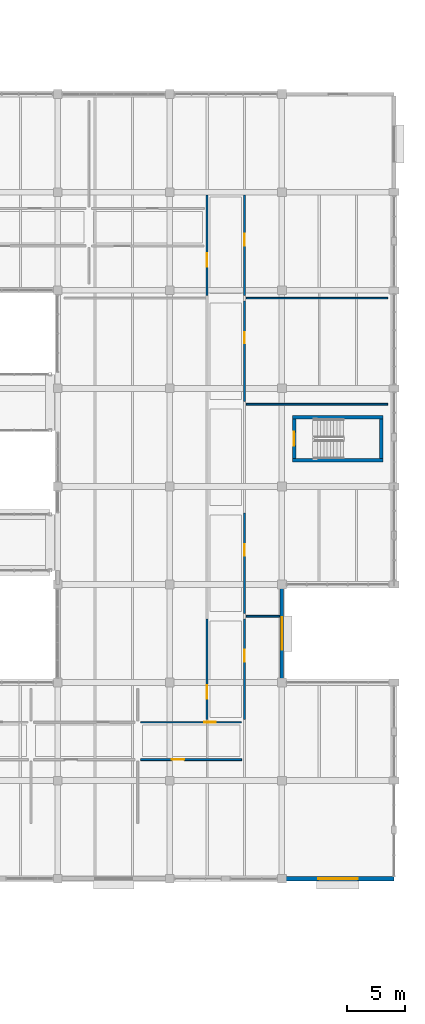
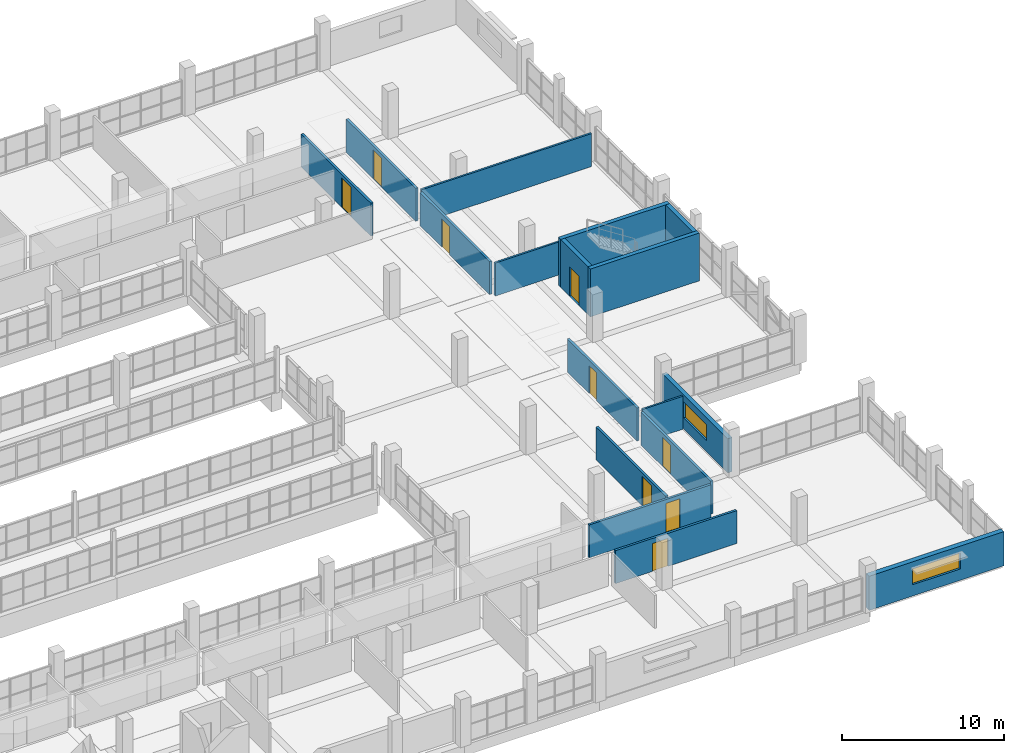
# One storey, part 128 of 147: 17 walls, 9 doors, 2 windows, 11 openings.
"""IFC4 building model written with IfcOpenShell, lengths in metres."""

from ifc_helpers import new_model, si_unit, direction, frame, frame_2d, origin, place, context, subcontext, project, spatial, rectangle, extrude, material, layer, layer_set, type_object, element, fill, save


model = new_model("IFC4")

# Units and contexts
model_context = context("Model", 3, precision=1e-05, world=origin(), true_north=direction((0.0, 1.0)))
body_context = subcontext(model_context, "Body", "Model", "MODEL_VIEW")
ifc_project = project(units=[si_unit("LENGTHUNIT", "METRE"), si_unit("AREAUNIT", "SQUARE_METRE"), si_unit("VOLUMEUNIT", "CUBIC_METRE"), si_unit("PLANEANGLEUNIT", "RADIAN"), si_unit("MASSUNIT", "GRAM", prefix="KILO")], contexts=[model_context])

# Site, building, storey
site_placement = place(None, origin())
site = spatial("IfcSite", under=ifc_project, at=site_placement, CompositionType="ELEMENT")
building_placement = place(site_placement, origin())
building = spatial("IfcBuilding", under=site, at=building_placement, Name="Oolite Switchyard Hospital", CompositionType="ELEMENT")
storey_placement = place(building_placement, frame((0.0, 0.0, 9.89990234375)))
storey = spatial("IfcBuildingStorey", under=building, at=storey_placement, Name="L02", CompositionType="ELEMENT", Elevation=9.89990234375)

# Wall, opening, window
ifc_material_1 = material(Name="Precast oolitic limestone architectural concrete C40/50", Category="masonry")
ifc_layer_1 = layer(ifc_material_1, 0.300048828125)
ifc_layer_set_1 = layer_set([ifc_layer_1], Name="WAL-EXT-300")
wall_type_1 = type_object("IfcWallType", Name="WAL-EXT-300", PredefinedType="SOLIDWALL", material=ifc_layer_set_1)
wall_1_placement = place(storey_placement, frame((201.60009765625, 33.43994140625, 0.0), z_axis=(0.0, 0.0, 1.0), x_axis=(0.0, -1.0, 0.0)))
wall_1 = element("IfcWall", 1, at=wall_1_placement, inside=storey, type_object=wall_type_1, Name="L02 Exterior Spandrel Wall 168", PredefinedType="SOLIDWALL", context=body_context, shape_type="SweptSolid", body=[
    extrude(rectangle(XDim=8.079833984375, YDim=0.300048828125, at=frame_2d((4.0400390625, 0.0))), origin(), (0.0, 0.0, 1.0), 2.570068359375),
])
opening_1_placement = place(wall_1_placement, frame((2.639892578125, 0.0, 0.85009765625)))
opening_1 = element("IfcOpeningElement", 2, at=opening_1_placement, cuts=wall_1, Name="Opening WN-0063", PredefinedType="OPENING", context=body_context, shape_type="SweptSolid", body=[
    extrude(rectangle(XDim=2.800048828125, YDim=1.199951171875, at=frame_2d((1.39990234375, 0.60009765625))), frame((0.0, 0.16015625, 0.0), z_axis=(0.0, -1.0, 0.0), x_axis=(1.0, 0.0, 0.0)), (0.0, 0.0, 1.0), 0.320068359375),
])
ifc_material_2 = material(Name="Thermally broken aluminum frame with laminated impact glazing", Category="aluminium")
window_type_1 = type_object("IfcWindowType", Name="WIN-IMP-280X120", PartitioningType="SINGLE_PANEL", PredefinedType="WINDOW", material=ifc_material_2)
window_1_placement = place(opening_1_placement, origin())
window_1 = element("IfcWindow", 3, at=window_1_placement, inside=storey, type_object=window_type_1, Name="L02 Hurricane Impact Window WN-0063", OverallHeight=1.199951171875, OverallWidth=2.800048828125, PartitioningType="SINGLE_PANEL", PredefinedType="WINDOW", context=body_context, shape_type="SweptSolid", body=[
    extrude(rectangle(XDim=2.800048828125, YDim=1.199951171875, at=frame_2d((1.39990234375, 0.60009765625))), frame((0.0, 0.030029296875, 0.0), z_axis=(0.0, -1.0, 0.0), x_axis=(1.0, 0.0, 0.0)), (0.0, 0.0, 1.0), 0.06005859375),
])
fill(opening_1, window_1)

ifc_layer_2 = layer(ifc_material_1, 0.360107421875)
ifc_layer_set_2 = layer_set([ifc_layer_2], Name="WAL-EXT-360")
wall_type_2 = type_object("IfcWallType", Name="WAL-EXT-360", PredefinedType="SOLIDWALL", material=ifc_layer_set_2)
wall_2_placement = place(storey_placement, frame((211.199951171875, 8.39990234375, 0.0), z_axis=(0.0, 0.0, 1.0), x_axis=(-1.0, 0.0, 0.0)))
wall_2 = element("IfcWall", 4, at=wall_2_placement, inside=storey, type_object=wall_type_2, Name="L02 Exterior Spandrel Wall 129", PredefinedType="SOLIDWALL", context=body_context, shape_type="SweptSolid", body=[
    extrude(rectangle(XDim=9.599853515625, YDim=0.360107421875, at=frame_2d((4.7998046875, 0.0))), origin(), (0.0, 0.0, 1.0), 2.570068359375),
])
opening_2_placement = place(wall_2_placement, frame((3.10009765625, 0.0, 0.85009765625)))
opening_2 = element("IfcOpeningElement", 5, at=opening_2_placement, cuts=wall_2, Name="Opening WN-0046", PredefinedType="OPENING", context=body_context, shape_type="SweptSolid", body=[
    extrude(rectangle(XDim=3.39990234375, YDim=1.199951171875, at=frame_2d((1.699951171875, 0.60009765625))), frame((0.0, 0.18994140625, 0.0), z_axis=(0.0, -1.0, 0.0), x_axis=(1.0, 0.0, 0.0)), (0.0, 0.0, 1.0), 0.380126953125),
])
window_type_2 = type_object("IfcWindowType", Name="WIN-IMP-340X120", PartitioningType="SINGLE_PANEL", PredefinedType="WINDOW", material=ifc_material_2)
window_2_placement = place(opening_2_placement, origin())
window_2 = element("IfcWindow", 6, at=window_2_placement, inside=storey, type_object=window_type_2, Name="L02 Hurricane Impact Window WN-0046", OverallHeight=1.199951171875, OverallWidth=3.39990234375, PartitioningType="SINGLE_PANEL", PredefinedType="WINDOW", context=body_context, shape_type="SweptSolid", body=[
    extrude(rectangle(XDim=3.39990234375, YDim=1.199951171875, at=frame_2d((1.699951171875, 0.60009765625))), frame((0.0, 0.030029296875, 0.0), z_axis=(0.0, -1.0, 0.0), x_axis=(1.0, 0.0, 0.0)), (0.0, 0.0, 1.0), 0.06005859375),
])
fill(opening_2, window_2)

# Walls
ifc_material_3 = material(Name="Moisture-resistant gypsum board on steel studs", Category="steel")
ifc_layer_3 = layer(ifc_material_3, 0.135009765625)
ifc_layer_set_3 = layer_set([ifc_layer_3], Name="WAL-PART-135")
wall_type_3 = type_object("IfcWallType", Name="WAL-PART-135", PredefinedType="PARTITIONING", material=ifc_layer_set_3)
wall_3_placement = place(storey_placement, frame((198.550048828125, 30.8798828125, 0.0), z_axis=(0.0, 0.0, 1.0), x_axis=(1.0, 0.0, 0.0)))
element("IfcWall", 7, at=wall_3_placement, inside=storey, type_object=wall_type_3, Name="L02 Interior Partition 575", PredefinedType="PARTITIONING", context=body_context, shape_type="SweptSolid", body=[
    extrude(rectangle(XDim=2.849853515625, YDim=0.135009765625, at=frame_2d((1.4248046875, 0.0))), origin(), (0.0, 0.0, 1.0), 2.47998046875),
])
for number, where, z_axis, x_axis, name in (
    (8, (198.550048828125, 49.0400390625, 0.0), (0.0, 0.0, 1.0), (1.0, 0.0, 0.0), "L02 Interior Partition 577"),
    (9, (198.550048828125, 58.1201171875, 0.0), (0.0, 0.0, 1.0), (1.0, 0.0, 0.0), "L02 Interior Partition 581"),
):
    element("IfcWall", number, at=place(storey_placement, frame(where, z_axis=z_axis, x_axis=x_axis)), inside=storey, type_object=wall_type_3, Name=name, PredefinedType="PARTITIONING", context=body_context, shape_type="SweptSolid", body=[
        extrude(rectangle(XDim=12.099853515625, YDim=0.135009765625, at=frame_2d((6.0498046875, 0.0))), origin(), (0.0, 0.0, 1.0), 2.47998046875),
    ])

# Wall, opening, door
ifc_layer_4 = layer(ifc_material_3, 0.1650390625)
ifc_layer_set_4 = layer_set([ifc_layer_4], Name="WAL-PART-165")
wall_type_4 = type_object("IfcWallType", Name="WAL-PART-165", PredefinedType="PARTITIONING", material=ifc_layer_set_4)
wall_4_placement = place(storey_placement, frame((189.508056640625, 18.60009765625, 0.0), z_axis=(0.0, 0.0, 1.0), x_axis=(1.0, 0.0, 0.0)))
wall_4 = element("IfcWall", 10, at=wall_4_placement, inside=storey, type_object=wall_type_4, Name="L02 Interior Partition 568", PredefinedType="PARTITIONING", context=body_context, shape_type="SweptSolid", body=[
    extrude(rectangle(XDim=8.642822265625, YDim=0.1650390625, at=frame_2d((4.3212890625, 0.0))), origin(), (0.0, 0.0, 1.0), 2.47998046875),
])
opening_3_placement = place(wall_4_placement, frame((2.64990234375, 0.0, 0.0)))
opening_3 = element("IfcOpeningElement", 11, at=opening_3_placement, cuts=wall_4, Name="Opening D-0319", PredefinedType="OPENING", context=body_context, shape_type="SweptSolid", body=[
    extrude(rectangle(XDim=1.10009765625, YDim=2.10009765625, at=frame_2d((0.550048828125, 1.050048828125))), frame((0.0, 0.092529296875, 0.0), z_axis=(0.0, -1.0, 0.0), x_axis=(1.0, 0.0, 0.0)), (0.0, 0.0, 1.0), 0.18505859375),
])
ifc_material_4 = material(Name="Solid-core antimicrobial hardwood leaf in steel frame", Category="steel")
door_type_1 = type_object("IfcDoorType", Name="DR-CLIN-110X210", OperationType="NOTDEFINED", PredefinedType="DOOR", material=ifc_material_4)
door_1_placement = place(opening_3_placement, origin())
door_1 = element("IfcDoor", 12, at=door_1_placement, inside=storey, type_object=door_type_1, Name="L02 Interior Door D-0319", OperationType="SINGLE_SWING_LEFT", OverallHeight=2.10009765625, OverallWidth=1.10009765625, PredefinedType="DOOR", context=body_context, shape_type="SweptSolid", body=[
    extrude(rectangle(XDim=1.10009765625, YDim=2.10009765625, at=frame_2d((0.550048828125, 1.050048828125))), frame((0.0, 0.02490234375, 0.0), z_axis=(0.0, -1.0, 0.0), x_axis=(1.0, 0.0, 0.0)), (0.0, 0.0, 1.0), 0.050048828125),
])
fill(opening_3, door_1)

wall_5_placement = place(storey_placement, frame((189.508056640625, 21.800048828125, 0.0), z_axis=(0.0, 0.0, 1.0), x_axis=(1.0, 0.0, 0.0)))
wall_5 = element("IfcWall", 13, at=wall_5_placement, inside=storey, type_object=wall_type_4, Name="L02 Interior Partition 570", PredefinedType="PARTITIONING", context=body_context, shape_type="SweptSolid", body=[
    extrude(rectangle(XDim=8.642822265625, YDim=0.1650390625, at=frame_2d((4.3212890625, 0.0))), origin(), (0.0, 0.0, 1.0), 2.47998046875),
])
opening_4_placement = place(wall_5_placement, frame((5.449951171875, 0.0, 0.0)))
opening_4 = element("IfcOpeningElement", 14, at=opening_4_placement, cuts=wall_5, Name="Opening D-0320", PredefinedType="OPENING", context=body_context, shape_type="SweptSolid", body=[
    extrude(rectangle(XDim=1.0, YDim=2.199951171875, at=frame_2d((0.5, 1.10009765625))), frame((0.0, 0.092529296875, 0.0), z_axis=(0.0, -1.0, 0.0), x_axis=(1.0, 0.0, 0.0)), (0.0, 0.0, 1.0), 0.18505859375),
])
door_type_2 = type_object("IfcDoorType", Name="DR-OFF-100X220", OperationType="NOTDEFINED", PredefinedType="DOOR", material=ifc_material_4)
door_2_placement = place(opening_4_placement, origin())
door_2 = element("IfcDoor", 15, at=door_2_placement, inside=storey, type_object=door_type_2, Name="L02 Interior Door D-0320", OperationType="SINGLE_SWING_RIGHT", OverallHeight=2.199951171875, OverallWidth=1.0, PredefinedType="DOOR", context=body_context, shape_type="SweptSolid", body=[
    extrude(rectangle(XDim=1.0, YDim=2.199951171875, at=frame_2d((0.5, 1.10009765625))), frame((0.0, 0.02490234375, 0.0), z_axis=(0.0, -1.0, 0.0), x_axis=(1.0, 0.0, 0.0)), (0.0, 0.0, 1.0), 0.050048828125),
])
fill(opening_4, door_2)

wall_6_placement = place(storey_placement, frame((195.199951171875, 22.050048828125, 0.0), z_axis=(0.0, 0.0, 1.0), x_axis=(0.0, 1.0, 0.0)))
wall_6 = element("IfcWall", 16, at=wall_6_placement, inside=storey, type_object=wall_type_4, Name="L02 Interior Partition 572", PredefinedType="PARTITIONING", context=body_context, shape_type="SweptSolid", body=[
    extrude(rectangle(XDim=8.579833984375, YDim=0.1650390625, at=frame_2d((4.2900390625, 0.0))), origin(), (0.0, 0.0, 1.0), 2.47998046875),
])
opening_5_placement = place(wall_6_placement, frame((1.75, 0.0, 0.0)))
opening_5 = element("IfcOpeningElement", 17, at=opening_5_placement, cuts=wall_6, Name="Opening D-0321", PredefinedType="OPENING", context=body_context, shape_type="SweptSolid", body=[
    extrude(rectangle(XDim=1.14990234375, YDim=2.199951171875, at=frame_2d((0.574951171875, 1.10009765625))), frame((0.0, 0.092529296875, 0.0), z_axis=(0.0, -1.0, 0.0), x_axis=(1.0, 0.0, 0.0)), (0.0, 0.0, 1.0), 0.18505859375),
])
door_type_3 = type_object("IfcDoorType", Name="DR-CLIN-115X220", OperationType="NOTDEFINED", PredefinedType="DOOR", material=ifc_material_4)
door_3_placement = place(opening_5_placement, origin())
door_3 = element("IfcDoor", 18, at=door_3_placement, inside=storey, type_object=door_type_3, Name="L02 Interior Door D-0321", OperationType="SINGLE_SWING_LEFT", OverallHeight=2.199951171875, OverallWidth=1.14990234375, PredefinedType="DOOR", context=body_context, shape_type="SweptSolid", body=[
    extrude(rectangle(XDim=1.14990234375, YDim=2.199951171875, at=frame_2d((0.574951171875, 1.10009765625))), frame((0.0, 0.02490234375, 0.0), z_axis=(0.0, -1.0, 0.0), x_axis=(1.0, 0.0, 0.0)), (0.0, 0.0, 1.0), 0.050048828125),
])
fill(opening_5, door_3)

wall_7_placement = place(storey_placement, frame((198.39990234375, 22.050048828125, 0.0), z_axis=(0.0, 0.0, 1.0), x_axis=(0.0, 1.0, 0.0)))
wall_7 = element("IfcWall", 19, at=wall_7_placement, inside=storey, type_object=wall_type_4, Name="L02 Interior Partition 573", PredefinedType="PARTITIONING", context=body_context, shape_type="SweptSolid", body=[
    extrude(rectangle(XDim=8.579833984375, YDim=0.1650390625, at=frame_2d((4.2900390625, 0.0))), origin(), (0.0, 0.0, 1.0), 2.47998046875),
])
opening_6_placement = place(wall_7_placement, frame((4.949951171875, 0.0, 0.0)))
opening_6 = element("IfcOpeningElement", 20, at=opening_6_placement, cuts=wall_7, Name="Opening D-0322", PredefinedType="OPENING", context=body_context, shape_type="SweptSolid", body=[
    extrude(rectangle(XDim=1.0, YDim=2.199951171875, at=frame_2d((0.5, 1.10009765625))), frame((0.0, 0.092529296875, 0.0), z_axis=(0.0, -1.0, 0.0), x_axis=(1.0, 0.0, 0.0)), (0.0, 0.0, 1.0), 0.18505859375),
])
door_4_placement = place(opening_6_placement, origin())
door_4 = element("IfcDoor", 21, at=door_4_placement, inside=storey, type_object=door_type_2, Name="L02 Interior Door D-0322", OperationType="SINGLE_SWING_RIGHT", OverallHeight=2.199951171875, OverallWidth=1.0, PredefinedType="DOOR", context=body_context, shape_type="SweptSolid", body=[
    extrude(rectangle(XDim=1.0, YDim=2.199951171875, at=frame_2d((0.5, 1.10009765625))), frame((0.0, 0.02490234375, 0.0), z_axis=(0.0, -1.0, 0.0), x_axis=(1.0, 0.0, 0.0)), (0.0, 0.0, 1.0), 0.050048828125),
])
fill(opening_6, door_4)

wall_8_placement = place(storey_placement, frame((198.39990234375, 31.1298828125, 0.0), z_axis=(0.0, 0.0, 1.0), x_axis=(0.0, 1.0, 0.0)))
wall_8 = element("IfcWall", 22, at=wall_8_placement, inside=storey, type_object=wall_type_4, Name="L02 Interior Partition 574", PredefinedType="PARTITIONING", context=body_context, shape_type="SweptSolid", body=[
    extrude(rectangle(XDim=8.580078125, YDim=0.1650390625, at=frame_2d((4.2900390625, 0.0))), origin(), (0.0, 0.0, 1.0), 2.47998046875),
])
opening_7_placement = place(wall_8_placement, frame((4.949951171875, 0.0, 0.0)))
opening_7 = element("IfcOpeningElement", 23, at=opening_7_placement, cuts=wall_8, Name="Opening D-0323", PredefinedType="OPENING", context=body_context, shape_type="SweptSolid", body=[
    extrude(rectangle(XDim=0.949951171875, YDim=2.10009765625, at=frame_2d((0.47509765625, 1.050048828125))), frame((0.0, 0.092529296875, 0.0), z_axis=(0.0, -1.0, 0.0), x_axis=(1.0, 0.0, 0.0)), (0.0, 0.0, 1.0), 0.18505859375),
])
door_type_4 = type_object("IfcDoorType", Name="DR-BATH-095X210", OperationType="NOTDEFINED", PredefinedType="DOOR", material=ifc_material_4)
door_5_placement = place(opening_7_placement, origin())
door_5 = element("IfcDoor", 24, at=door_5_placement, inside=storey, type_object=door_type_4, Name="L02 Interior Door D-0323", OperationType="SINGLE_SWING_LEFT", OverallHeight=2.10009765625, OverallWidth=0.949951171875, PredefinedType="DOOR", context=body_context, shape_type="SweptSolid", body=[
    extrude(rectangle(XDim=0.949951171875, YDim=2.10009765625, at=frame_2d((0.47509765625, 1.050048828125))), frame((0.0, 0.02490234375, 0.0), z_axis=(0.0, -1.0, 0.0), x_axis=(1.0, 0.0, 0.0)), (0.0, 0.0, 1.0), 0.050048828125),
])
fill(opening_7, door_5)

wall_9_placement = place(storey_placement, frame((198.39990234375, 49.2900390625, 0.0), z_axis=(0.0, 0.0, 1.0), x_axis=(0.0, 1.0, 0.0)))
wall_9 = element("IfcWall", 25, at=wall_9_placement, inside=storey, type_object=wall_type_4, Name="L02 Interior Partition 576", PredefinedType="PARTITIONING", context=body_context, shape_type="SweptSolid", body=[
    extrude(rectangle(XDim=8.580078125, YDim=0.1650390625, at=frame_2d((4.2900390625, 0.0))), origin(), (0.0, 0.0, 1.0), 2.47998046875),
])
opening_8_placement = place(wall_9_placement, frame((4.949951171875, 0.0, 0.0)))
opening_8 = element("IfcOpeningElement", 26, at=opening_8_placement, cuts=wall_9, Name="Opening D-0324", PredefinedType="OPENING", context=body_context, shape_type="SweptSolid", body=[
    extrude(rectangle(XDim=0.949951171875, YDim=2.10009765625, at=frame_2d((0.47509765625, 1.050048828125))), frame((0.0, 0.092529296875, 0.0), z_axis=(0.0, -1.0, 0.0), x_axis=(1.0, 0.0, 0.0)), (0.0, 0.0, 1.0), 0.18505859375),
])
door_6_placement = place(opening_8_placement, origin())
door_6 = element("IfcDoor", 27, at=door_6_placement, inside=storey, type_object=door_type_4, Name="L02 Interior Door D-0324", OperationType="SINGLE_SWING_LEFT", OverallHeight=2.10009765625, OverallWidth=0.949951171875, PredefinedType="DOOR", context=body_context, shape_type="SweptSolid", body=[
    extrude(rectangle(XDim=0.949951171875, YDim=2.10009765625, at=frame_2d((0.47509765625, 1.050048828125))), frame((0.0, 0.02490234375, 0.0), z_axis=(0.0, -1.0, 0.0), x_axis=(1.0, 0.0, 0.0)), (0.0, 0.0, 1.0), 0.050048828125),
])
fill(opening_8, door_6)

wall_10_placement = place(storey_placement, frame((195.199951171875, 58.3701171875, 0.0), z_axis=(0.0, 0.0, 1.0), x_axis=(0.0, 1.0, 0.0)))
wall_10 = element("IfcWall", 28, at=wall_10_placement, inside=storey, type_object=wall_type_4, Name="L02 Interior Partition 578", PredefinedType="PARTITIONING", context=body_context, shape_type="SweptSolid", body=[
    extrude(rectangle(XDim=8.579833984375, YDim=0.1650390625, at=frame_2d((4.2900390625, 0.0))), origin(), (0.0, 0.0, 1.0), 2.47998046875),
])
opening_9_placement = place(wall_10_placement, frame((2.449951171875, 0.0, 0.0)))
opening_9 = element("IfcOpeningElement", 29, at=opening_9_placement, cuts=wall_10, Name="Opening D-0325", PredefinedType="OPENING", context=body_context, shape_type="SweptSolid", body=[
    extrude(rectangle(XDim=1.14990234375, YDim=2.199951171875, at=frame_2d((0.574951171875, 1.10009765625))), frame((0.0, 0.092529296875, 0.0), z_axis=(0.0, -1.0, 0.0), x_axis=(1.0, 0.0, 0.0)), (0.0, 0.0, 1.0), 0.18505859375),
])
door_7_placement = place(opening_9_placement, origin())
door_7 = element("IfcDoor", 30, at=door_7_placement, inside=storey, type_object=door_type_3, Name="L02 Interior Door D-0325", OperationType="SINGLE_SWING_LEFT", OverallHeight=2.199951171875, OverallWidth=1.14990234375, PredefinedType="DOOR", context=body_context, shape_type="SweptSolid", body=[
    extrude(rectangle(XDim=1.14990234375, YDim=2.199951171875, at=frame_2d((0.574951171875, 1.10009765625))), frame((0.0, 0.02490234375, 0.0), z_axis=(0.0, -1.0, 0.0), x_axis=(1.0, 0.0, 0.0)), (0.0, 0.0, 1.0), 0.050048828125),
])
fill(opening_9, door_7)

wall_11_placement = place(storey_placement, frame((198.39990234375, 58.3701171875, 0.0), z_axis=(0.0, 0.0, 1.0), x_axis=(0.0, 1.0, 0.0)))
wall_11 = element("IfcWall", 31, at=wall_11_placement, inside=storey, type_object=wall_type_4, Name="L02 Interior Partition 580", PredefinedType="PARTITIONING", context=body_context, shape_type="SweptSolid", body=[
    extrude(rectangle(XDim=8.579833984375, YDim=0.1650390625, at=frame_2d((4.2900390625, 0.0))), origin(), (0.0, 0.0, 1.0), 2.47998046875),
])
opening_10_placement = place(wall_11_placement, frame((4.25, 0.0, 0.0)))
opening_10 = element("IfcOpeningElement", 32, at=opening_10_placement, cuts=wall_11, Name="Opening D-0326", PredefinedType="OPENING", context=body_context, shape_type="SweptSolid", body=[
    extrude(rectangle(XDim=1.0, YDim=2.199951171875, at=frame_2d((0.5, 1.10009765625))), frame((0.0, 0.092529296875, 0.0), z_axis=(0.0, -1.0, 0.0), x_axis=(1.0, 0.0, 0.0)), (0.0, 0.0, 1.0), 0.18505859375),
])
door_8_placement = place(opening_10_placement, origin())
door_8 = element("IfcDoor", 33, at=door_8_placement, inside=storey, type_object=door_type_2, Name="L02 Interior Door D-0326", OperationType="SINGLE_SWING_RIGHT", OverallHeight=2.199951171875, OverallWidth=1.0, PredefinedType="DOOR", context=body_context, shape_type="SweptSolid", body=[
    extrude(rectangle(XDim=1.0, YDim=2.199951171875, at=frame_2d((0.5, 1.10009765625))), frame((0.0, 0.02490234375, 0.0), z_axis=(0.0, -1.0, 0.0), x_axis=(1.0, 0.0, 0.0)), (0.0, 0.0, 1.0), 0.050048828125),
])
fill(opening_10, door_8)

# Walls
ifc_material_5 = material(Name="Concrete C50/60", Category="concrete")
ifc_layer_5 = layer(ifc_material_5, 0.300048828125)
ifc_layer_set_5 = layer_set([ifc_layer_5], Name="WAL-SHR-300")
wall_type_5 = type_object("IfcWallType", Name="WAL-SHR-300", PredefinedType="SHEAR", material=ifc_layer_set_5)
wall_12_placement = place(storey_placement, frame((202.5, 44.25, 0.0), z_axis=(0.0, 0.0, 1.0), x_axis=(1.0, 0.0, 0.0)))
element("IfcWall", 34, at=wall_12_placement, inside=storey, type_object=wall_type_5, Name="L02 Core Shear Wall ST-06", PredefinedType="SHEAR", context=body_context, shape_type="SweptSolid", body=[
    extrude(rectangle(XDim=7.75, YDim=0.300048828125, at=frame_2d((3.875, 0.0))), origin(), (0.0, 0.0, 1.0), 3.60009765625),
])
wall_13_placement = place(storey_placement, frame((210.10009765625, 44.39990234375, 0.0), z_axis=(0.0, 0.0, 1.0), x_axis=(0.0, 1.0, 0.0)))
element("IfcWall", 35, at=wall_13_placement, inside=storey, type_object=wall_type_5, Name="L02 Core Shear Wall ST-06", PredefinedType="SHEAR", context=body_context, shape_type="SweptSolid", body=[
    extrude(rectangle(XDim=3.360107421875, YDim=0.300048828125, at=frame_2d((1.68017578125, 0.0))), origin(), (0.0, 0.0, 1.0), 3.60009765625),
])
wall_14_placement = place(storey_placement, frame((210.25, 47.909912109375, 0.0), z_axis=(0.0, 0.0, 1.0), x_axis=(-1.0, 0.0, 0.0)))
element("IfcWall", 36, at=wall_14_placement, inside=storey, type_object=wall_type_5, Name="L02 Core Shear Wall ST-06", PredefinedType="SHEAR", context=body_context, shape_type="SweptSolid", body=[
    extrude(rectangle(XDim=7.75, YDim=0.300048828125, at=frame_2d((3.875, 0.0))), origin(), (0.0, 0.0, 1.0), 3.60009765625),
])

# Wall, opening, door
wall_15_placement = place(storey_placement, frame((202.64990234375, 47.760009765625, 0.0), z_axis=(0.0, 0.0, 1.0), x_axis=(0.0, -1.0, 0.0)))
wall_15 = element("IfcWall", 37, at=wall_15_placement, inside=storey, type_object=wall_type_5, Name="L02 Core Shear Wall ST-06", PredefinedType="SHEAR", context=body_context, shape_type="SweptSolid", body=[
    extrude(rectangle(XDim=3.360107421875, YDim=0.300048828125, at=frame_2d((1.68017578125, 0.0))), origin(), (0.0, 0.0, 1.0), 3.60009765625),
])
opening_11_placement = place(wall_15_placement, frame((1.080078125, 0.0, 0.0)))
opening_11 = element("IfcOpeningElement", 38, at=opening_11_placement, cuts=wall_15, Name="Opening SD-040", PredefinedType="OPENING", context=body_context, shape_type="SweptSolid", body=[
    extrude(rectangle(XDim=1.199951171875, YDim=2.199951171875, at=frame_2d((0.60009765625, 1.10009765625))), frame((0.0, 0.16015625, 0.0), z_axis=(0.0, -1.0, 0.0), x_axis=(1.0, 0.0, 0.0)), (0.0, 0.0, 1.0), 0.320068359375),
])
ifc_material_6 = material(Name="Hollow metal fire-rated steel door assembly", Category="steel")
door_type_5 = type_object("IfcDoorType", Name="DR-STR-120X220", OperationType="NOTDEFINED", PredefinedType="DOOR", material=ifc_material_6)
door_9_placement = place(opening_11_placement, origin())
door_9 = element("IfcDoor", 39, at=door_9_placement, inside=storey, type_object=door_type_5, Name="L02 ST-06 Exit Stair Door SD-040", OperationType="SINGLE_SWING_RIGHT", OverallHeight=2.199951171875, OverallWidth=1.199951171875, PredefinedType="DOOR", context=body_context, shape_type="SweptSolid", body=[
    extrude(rectangle(XDim=1.199951171875, YDim=2.199951171875, at=frame_2d((0.60009765625, 1.10009765625))), frame((0.0, 0.02490234375, 0.0), z_axis=(0.0, -1.0, 0.0), x_axis=(1.0, 0.0, 0.0)), (0.0, 0.0, 1.0), 0.050048828125),
])
fill(opening_11, door_9)

save(model, "model.ifc")
